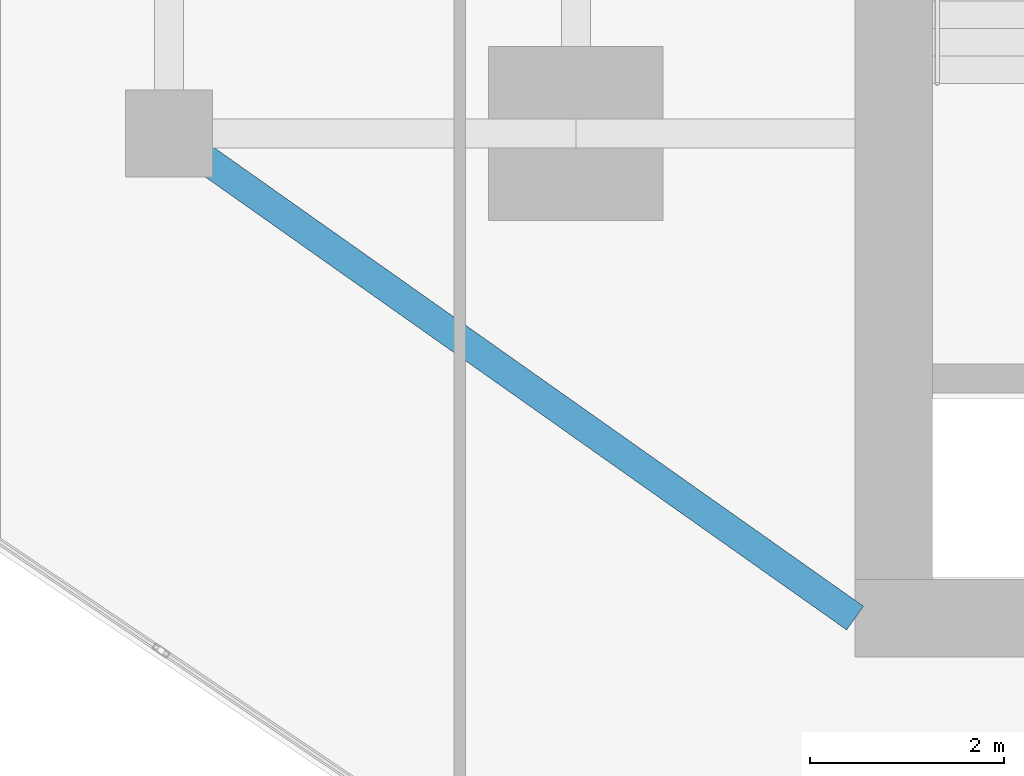
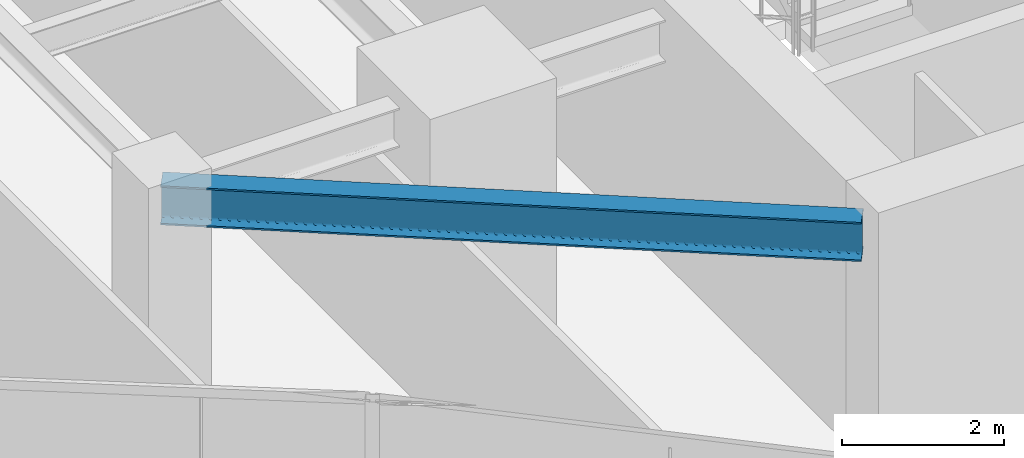
# One storey, part 4 of 27: 1 beam.
"""IFC4 building model written with IfcOpenShell, lengths in metres."""

from ifc_helpers import new_model, si_unit, direction, frame, origin, origin_2d, place, context, subcontext, project, spatial, i_section, extrude, source, transform, mapped, material, material_profile, profile_set, type_object, type_shapes, element, save


model = new_model("IFC4")

# Units and contexts
model_context = context("Model", 3, precision=1e-05, world=origin(), true_north=direction((0.0, 1.0)))
body_context = subcontext(model_context, "Body", "Model", "MODEL_VIEW")
ifc_project = project(units=[si_unit("LENGTHUNIT", "METRE"), si_unit("AREAUNIT", "SQUARE_METRE"), si_unit("VOLUMEUNIT", "CUBIC_METRE"), si_unit("PLANEANGLEUNIT", "RADIAN"), si_unit("MASSUNIT", "GRAM", prefix="KILO")], contexts=[model_context])

# Site, building, storey
site_placement = place(None, origin())
site = spatial("IfcSite", under=ifc_project, at=site_placement, CompositionType="ELEMENT")
building_placement = place(site_placement, origin())
building = spatial("IfcBuilding", under=site, at=building_placement, Name="Krantzveldt Concourse Tower", CompositionType="ELEMENT")
storey_placement = place(building_placement, frame((0.0, 0.0, 189.64990234375)))
storey = spatial("IfcBuildingStorey", under=building, at=storey_placement, Name="L46", CompositionType="ELEMENT", Elevation=189.64990234375)

# Beam
ifc_material = material(Name="Steel S355JR", Category="steel")
ifc_material_profile = material_profile(ifc_material, i_section(OverallWidth=0.300048828125, OverallDepth=0.590087890625, WebThickness=0.012939453125, FlangeThickness=0.02490234375, FilletRadius=0.027099609375, at=origin_2d()), Name="Steel S355JR", Category="steel")
ifc_profile_set = profile_set([ifc_material_profile], Name="Steel S355JR - HEA 600")
beam_type = type_object("IfcBeamType", Name="BM-B-HEA600", PredefinedType="BEAM", material=ifc_profile_set)
shared_shape = source(origin(), body_context, "Body", "SweptSolid", [
    extrude(i_section(OverallWidth=0.300048828125, OverallDepth=0.590087890625, WebThickness=0.012939453125, FlangeThickness=0.02490234375, FilletRadius=0.027099609375, at=origin_2d()), origin(), (0.0, 0.0, 1.0), 8.667724609375),
])
type_shapes(beam_type, [shared_shape])
beam_placement = place(storey_placement, frame((21.0, 15.89990234375, 3.375), z_axis=(0.81684294656, -0.576860122261, 0.0), x_axis=(0.576860122261, 0.81684294656, 0.0)))
element("IfcBeam", 1, at=beam_placement, inside=storey, type_object=beam_type, Name="L46 Tower Girder BR-CSW", PredefinedType="BEAM", context=body_context, shape_type="MappedRepresentation", body=[
    mapped(shared_shape, transform((0.0, 0.0, 0.0), x_axis=(1.0, 0.0, 0.0), y_axis=(0.0, 1.0, 0.0), z_axis=(0.0, 0.0, 1.0), scale=1.0)),
])

save(model, "model.ifc")
